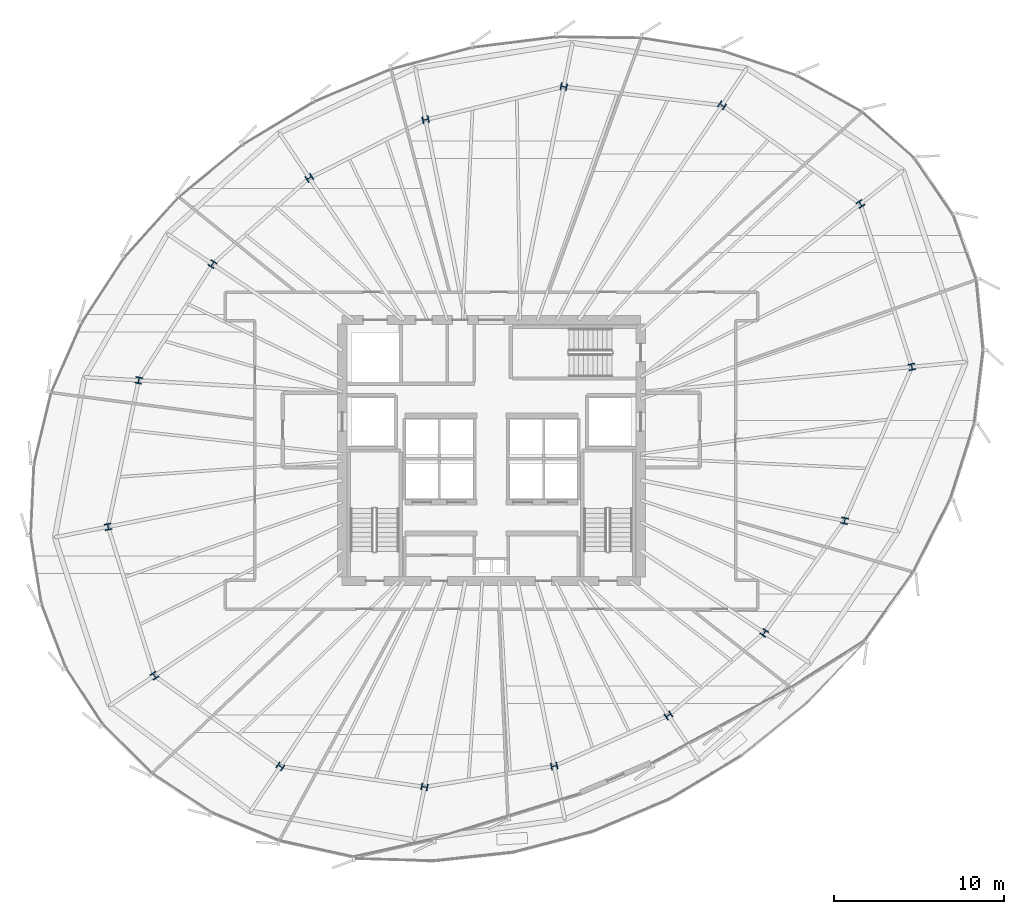
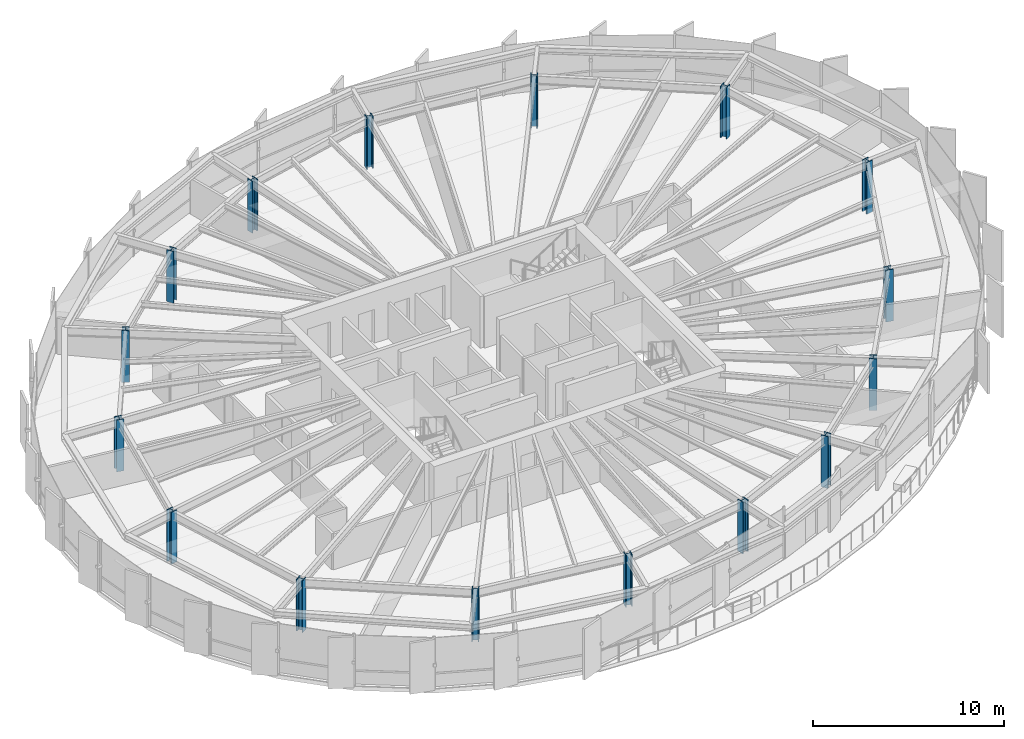
# One storey, part 1 of 36: 16 columns.
"""IFC4 building model written with IfcOpenShell, lengths in metres."""

from ifc_helpers import new_model, si_unit, direction, frame, origin, origin_2d, place, context, subcontext, project, spatial, i_section, extrude, source, transform, mapped, material, material_profile, profile_set, type_object, element, save


model = new_model("IFC4")

# Units and contexts
model_context = context("Model", 3, precision=1e-05, world=origin(), true_north=direction((0.0, 1.0)))
body_context = subcontext(model_context, "Body", "Model", "MODEL_VIEW")
ifc_project = project(units=[si_unit("LENGTHUNIT", "METRE"), si_unit("AREAUNIT", "SQUARE_METRE"), si_unit("VOLUMEUNIT", "CUBIC_METRE"), si_unit("PLANEANGLEUNIT", "RADIAN"), si_unit("MASSUNIT", "GRAM", prefix="KILO"), si_unit("THERMODYNAMICTEMPERATUREUNIT", "KELVIN")], contexts=[model_context])

# Site, building, storey
site_placement = place(None, origin())
site = spatial("IfcSite", under=ifc_project, at=site_placement, CompositionType="ELEMENT")
building_placement = place(site_placement, origin())
building = spatial("IfcBuilding", under=site, at=building_placement, Name="Kethvar Cultural Tower", CompositionType="ELEMENT")
storey_placement = place(building_placement, frame((0.0, 0.0, 143.0)))
storey = spatial("IfcBuildingStorey", under=building, at=storey_placement, Name="L36", CompositionType="ELEMENT", Elevation=143.0)

# Columns
ifc_material = material(Name="Steel S460M", Category="steel")
ifc_material_profile = material_profile(ifc_material, i_section(OverallWidth=0.40087890625, OverallDepth=0.381103515625, WebThickness=0.031982421875, FlangeThickness=0.051025390625, FilletRadius=0.014892578125, at=origin_2d()), Name="Steel S460M — HD400x677")
ifc_profile_set = profile_set([ifc_material_profile], Name="Steel S460M — HD400x677")
column_type = type_object("IfcColumnType", Name="COL-HD677", PredefinedType="COLUMN", material=ifc_profile_set)
shared_shape = source(origin(), body_context, "Body", "SweptSolid", [
    extrude(i_section(OverallWidth=0.40087890625, OverallDepth=0.381103515625, WebThickness=0.031982421875, FlangeThickness=0.051025390625, FilletRadius=0.014892578125, at=origin_2d()), origin(), (0.0, 0.0, 1.0), 3.300048828125),
])
for number, where, z_axis, x_axis, name in (
    (1, (71.6025390625, 32.7333984375, 0.0), (0.0, 0.0, 1.0), (0.980785280403, 0.195090322016, 0.0), "L36 Mega-Column MC-01"),
    (2, (68.568603515625, 42.34521484375, 0.0), (0.0, 0.0, 1.0), (0.831469612303, 0.55557023302, 0.0), "L36 Mega-Column MC-02"),
    (3, (60.40478515625, 48.160888671875, 0.0), (0.0, 0.0, 1.0), (0.55557023302, 0.831469612303, 0.0), "L36 Mega-Column MC-03"),
    (4, (51.068603515625, 49.25927734375, 0.0), (0.0, 0.0, 1.0), (0.195090322016, 0.980785280403, 0.0), "L36 Mega-Column MC-04"),
    (5, (42.9189453125, 47.311279296875, 0.0), (0.0, 0.0, 1.0), (-0.195090322016, 0.980785280403, 0.0), "L36 Mega-Column MC-05"),
    (6, (36.0576171875, 43.877197265625, 0.0), (0.0, 0.0, 1.0), (-0.55557023302, 0.831469612303, 0.0), "L36 Mega-Column MC-06"),
    (7, (30.345947265625, 38.794189453125, 0.0), (0.0, 0.0, 1.0), (-0.831469612303, 0.55557023302, 0.0), "L36 Mega-Column MC-07"),
    (8, (25.988525390625, 31.939697265625, 0.0), (0.0, 0.0, 1.0), (-0.980785280403, 0.195090322016, 0.0), "L36 Mega-Column MC-08"),
    (9, (24.185302734375, 23.3017578125, 0.0), (0.0, 0.0, 1.0), (-0.980785280403, -0.195090322016, 0.0), "L36 Mega-Column MC-09"),
    (10, (26.920654296875, 14.51708984375, 0.0), (0.0, 0.0, 1.0), (-0.831469612303, -0.55557023302, 0.0), "L36 Mega-Column MC-10"),
    (11, (34.350830078125, 9.16845703125, 0.0), (0.0, 0.0, 1.0), (-0.55557023302, -0.831469612303, 0.0), "L36 Mega-Column MC-11"),
    (12, (42.852294921875, 7.95361328125, 0.0), (0.0, 0.0, 1.0), (-0.195090322016, -0.980785280403, 0.0), "L36 Mega-Column MC-12"),
    (13, (50.50341796875, 9.182373046875, 0.0), (0.0, 0.0, 1.0), (0.195090322016, -0.980785280403, 0.0), "L36 Mega-Column MC-13"),
    (14, (57.241943359375, 12.17236328125, 0.0), (0.0, 0.0, 1.0), (0.55557023302, -0.831469612303, 0.0), "L36 Mega-Column MC-14"),
    (15, (62.898681640625, 17.043212890625, 0.0), (0.0, 0.0, 1.0), (0.831469612303, -0.55557023302, 0.0), "L36 Mega-Column MC-15"),
    (16, (67.638671875, 23.65478515625, 0.0), (0.0, 0.0, 1.0), (0.980785280403, -0.195090322016, 0.0), "L36 Mega-Column MC-16"),
):
    element("IfcColumn", number, at=place(storey_placement, frame(where, z_axis=z_axis, x_axis=x_axis)), inside=storey, type_object=column_type, Name=name, PredefinedType="COLUMN", context=body_context, shape_type="MappedRepresentation", body=[
        mapped(shared_shape, transform((0.0, 0.0, 0.0), scale=1.0)),
    ])

save(model, "model.ifc")
